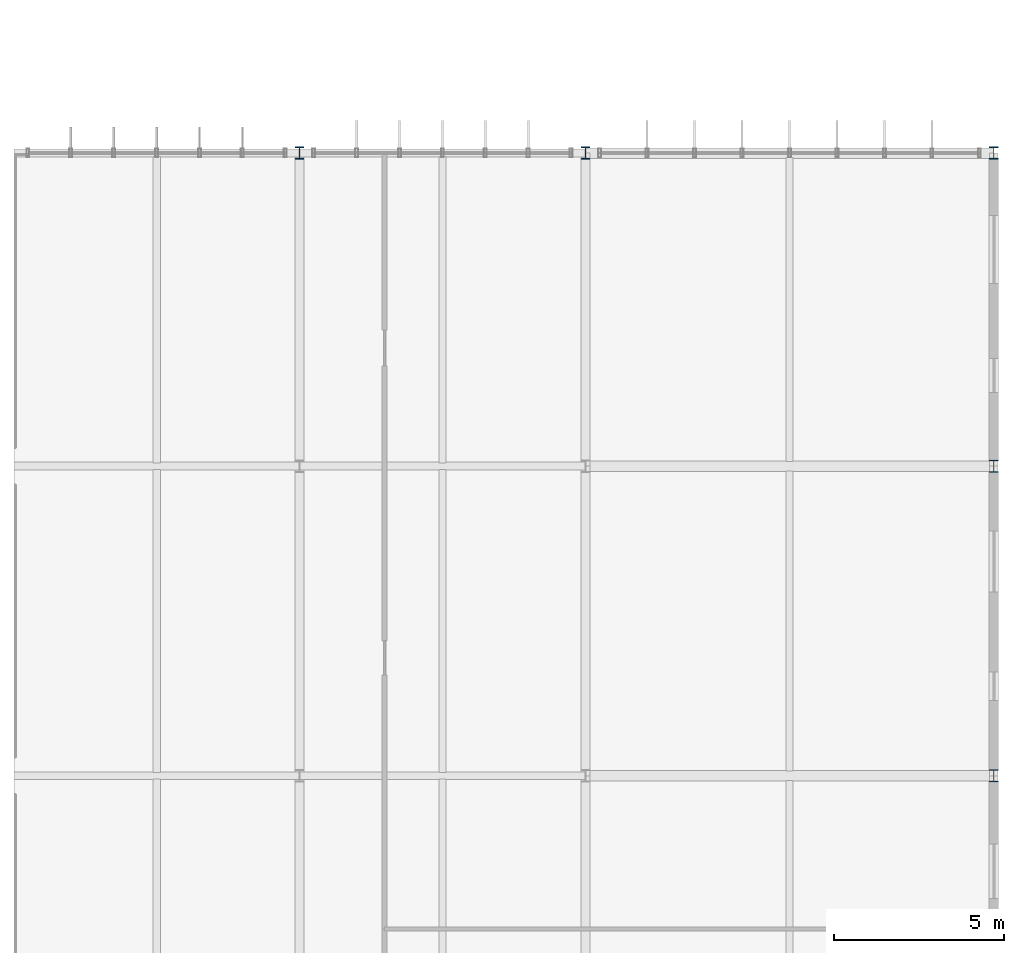
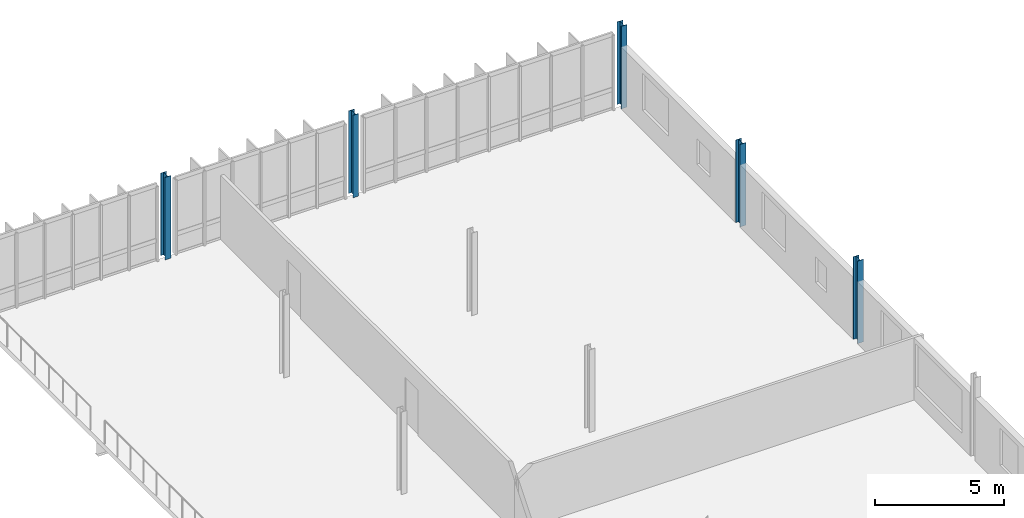
# One storey, part 7 of 61: 5 columns.
"""IFC4 building model written with IfcOpenShell, lengths in metres."""

import ifcopenshell
import ifcopenshell.guid

model = None  # the IFC model being written
_history = None  # IfcOwnerHistory: only IFC2X3 demands one
_inside = {}  # id of a spatial element -> (the spatial element, [elements in it])
_under = {}  # id of a project, library or spatial element -> (it, [spatial elements below it])
_declared = {}  # id of a project -> (the project, [libraries it declares])
_typed = {}  # id of a type object -> (the type object, [elements of that type])
_made_of = {}  # id of a material, layer set ... -> (it, [elements and type objects made of it])


def new_model(schema):
    """Start an empty IFC model of exactly this schema.

    Asked for "IFC4X3", IfcOpenShell would pick the latest addendum, in which some entities
    have other attributes; the version numbers below select the first issue.
    IFC2X3 requires an IfcOwnerHistory on every rooted entity: one is made here for all.
    """
    global model, _history
    if schema == "IFC4X3":
        model = ifcopenshell.file(schema_version=(4, 3, 0, 0))
    else:
        model = ifcopenshell.file(schema=schema)
    _inside.clear()
    _under.clear()
    _declared.clear()
    _typed.clear()
    _made_of.clear()
    _history = None
    if model.schema == "IFC2X3":
        org = make("IfcOrganization", Name="unknown")
        user = make(
            "IfcPersonAndOrganization",
            ThePerson=make("IfcPerson", FamilyName="unknown"),
            TheOrganization=org,
        )
        app = make(
            "IfcApplication",
            ApplicationDeveloper=org,
            Version="unknown",
            ApplicationFullName="unknown",
            ApplicationIdentifier="unknown",
        )
        _history = make(
            "IfcOwnerHistory",
            OwningUser=user,
            OwningApplication=app,
            ChangeAction="ADDED",
            CreationDate=0,
        )
    return model


def make(cls, **values):
    """One entity of the class cls with the attributes given. An attribute that is None is left unset."""
    return model.create_entity(
        cls, **{name: value for name, value in values.items() if value is not None}
    )


def rooted(cls, **values):
    """An entity with a GlobalId (a new one), such as an element, a storey or a relation."""
    return make(cls, GlobalId=ifcopenshell.guid.new(), OwnerHistory=_history, **values)


def si_unit(unit_type, name, prefix=None):
    """IfcSIUnit, for example si_unit("LENGTHUNIT", "METRE", prefix="MILLI")."""
    return make("IfcSIUnit", UnitType=unit_type, Prefix=prefix, Name=name)


def derived_unit(unit_type, elements):
    """IfcDerivedUnit: a product of units, each with its exponent."""
    return make(
        "IfcDerivedUnit",
        Elements=[
            make("IfcDerivedUnitElement", Unit=unit, Exponent=power)
            for unit, power in elements
        ],
        UnitType=unit_type,
    )


def assignment(units):
    """IfcUnitAssignment: the units of a project."""
    return None if units is None else make("IfcUnitAssignment", Units=units)


def point(xyz):
    """IfcCartesianPoint."""
    return None if xyz is None else make("IfcCartesianPoint", Coordinates=xyz)


def direction(xyz):
    """IfcDirection."""
    return None if xyz is None else make("IfcDirection", DirectionRatios=xyz)


def frame(location, z_axis=None, x_axis=None):
    """IfcAxis2Placement3D, a coordinate frame: its origin and axes. An axis left out is left unset."""
    return make(
        "IfcAxis2Placement3D",
        Location=point(location),
        Axis=direction(z_axis),
        RefDirection=direction(x_axis),
    )


def frame_2d(location, x_axis=None):
    """IfcAxis2Placement2D, a coordinate frame in the plane: its origin and x axis."""
    return make(
        "IfcAxis2Placement2D", Location=point(location), RefDirection=direction(x_axis)
    )


def origin():
    """The frame at (0, 0, 0) with its axes left unset."""
    return frame((0.0, 0.0, 0.0))


def origin_2d():
    """The frame at (0, 0) in the plane with its x axis left unset."""
    return frame_2d((0.0, 0.0))


def place(relative_to, where):
    """IfcLocalPlacement: puts the frame where relative to a parent placement (None: the world)."""
    return make(
        "IfcLocalPlacement", PlacementRelTo=relative_to, RelativePlacement=where
    )


def context(
    kind, dimensions, precision=None, world=None, true_north=None, identifier=None
):
    """IfcGeometricRepresentationContext, for example the 3D "Model" context."""
    return make(
        "IfcGeometricRepresentationContext",
        ContextIdentifier=identifier,
        ContextType=kind,
        CoordinateSpaceDimension=dimensions,
        Precision=precision,
        WorldCoordinateSystem=world,
        TrueNorth=true_north,
    )


def subcontext(parent, identifier, kind, view, scale=None):
    """IfcGeometricRepresentationSubContext, for example "Body" below "Model"."""
    return make(
        "IfcGeometricRepresentationSubContext",
        ContextIdentifier=identifier,
        ContextType=kind,
        ParentContext=parent,
        TargetScale=scale,
        TargetView=view,
    )


def project(units=None, contexts=None):
    """IfcProject with its units and contexts."""
    return rooted(
        "IfcProject",
        Name="project",
        RepresentationContexts=contexts,
        UnitsInContext=assignment(units),
    )


def spatial(cls, under=None, at=None, **own):
    """A site, building, storey or space (cls), placed at a placement, below another one or the project."""
    s = rooted(cls, ObjectPlacement=at, **own)
    if under is not None:
        _under.setdefault(under.id(), (under, []))[1].append(s)
    return s


def profile(cls, at=None, kind="AREA", **sizes):
    """A parametric profile (cls). Its sizes go by their IFC names, for example OverallWidth=200.0."""
    return make(cls, ProfileType=kind, Position=at, **sizes)


def i_section(**sizes):
    """IfcIShapeProfileDef."""
    return profile("IfcIShapeProfileDef", **sizes)


def extrude(swept, where, along, depth):
    """IfcExtrudedAreaSolid: the profile swept, set in the frame where, extruded along a direction by depth."""
    return make(
        "IfcExtrudedAreaSolid",
        SweptArea=swept,
        Position=where,
        ExtrudedDirection=direction(along),
        Depth=depth,
    )


def shape(context_of_items, identifier, shape_type, items):
    """IfcShapeRepresentation: the items that make up one representation, for example the "Body"."""
    return make(
        "IfcShapeRepresentation",
        ContextOfItems=context_of_items,
        RepresentationIdentifier=identifier,
        RepresentationType=shape_type,
        Items=items,
    )


def material(Name=None, Category=None):
    """IfcMaterial."""
    return make("IfcMaterial", Name=Name, Category=Category)


def material_profile(
    of_material, cross_section, Name=None, Category=None, Priority=None
):
    """IfcMaterialProfile: a cross section and its material."""
    return make(
        "IfcMaterialProfile",
        Name=Name,
        Material=of_material,
        Profile=cross_section,
        Priority=Priority,
        Category=Category,
    )


def profile_set(profiles, Name=None, composite=None):
    """IfcMaterialProfileSet."""
    return make(
        "IfcMaterialProfileSet",
        Name=Name,
        MaterialProfiles=profiles,
        CompositeProfile=composite,
    )


def made_of(thing, what):
    """Note that an element or type object is made of a material, layer set ...; save() writes the relation."""
    if what is not None:
        _made_of.setdefault(what.id(), (what, []))[1].append(thing)
    return thing


def type_object(cls, material=None, **own):
    """A type object (cls), such as IfcWallType, which elements share."""
    return made_of(rooted(cls, **own), material)


def element(
    cls,
    number,
    at=None,
    inside=None,
    cuts=None,
    type_object=None,
    material=None,
    context=None,
    identifier="Body",
    shape_type=None,
    held_by="IfcProductDefinitionShape",
    body=None,
    shapes=None,
    **own,
):
    """One element of the class cls, such as IfcWall. Its Tag is "e" and its number.

    at: its placement. inside: the storey or other place that contains it. cuts: it is an
    opening in that element (IfcRelVoidsElement). A single representation is given by context,
    identifier, shape_type and body (its items); several are given by shapes. held_by: the class
    of the entity that holds the representations. save() writes the other relations.
    """
    e = rooted(cls, Tag="e%d" % number, ObjectPlacement=at, **own)
    if body is not None:
        shapes = [shape(context, identifier, shape_type, body)]
    if shapes is not None:
        e.Representation = make(held_by, Representations=shapes)
    if inside is not None:
        _inside.setdefault(inside.id(), (inside, []))[1].append(e)
    if cuts is not None:
        rooted(
            "IfcRelVoidsElement", RelatingBuildingElement=cuts, RelatedOpeningElement=e
        )
    if type_object is not None:
        _typed.setdefault(type_object.id(), (type_object, []))[1].append(e)
    return made_of(e, material)


def aggregate(whole, parts):
    """IfcRelAggregates: a whole, such as a stair, and the parts it consists of."""
    return rooted("IfcRelAggregates", RelatingObject=whole, RelatedObjects=parts)


def save(model, path):
    """Write the relations noted so far, then the file.

    IfcRelAggregates (storeys below a building ...), IfcRelContainedInSpatialStructure (elements
    in a storey), IfcRelDefinesByType, IfcRelAssociatesMaterial and IfcRelDeclares: one each for
    every whole, place, type object, material and project.
    """
    for whole, parts in _under.values():
        aggregate(whole, parts)
    for where, things in _inside.values():
        rooted(
            "IfcRelContainedInSpatialStructure",
            RelatedElements=things,
            RelatingStructure=where,
        )
    for kind, things in _typed.values():
        rooted("IfcRelDefinesByType", RelatedObjects=things, RelatingType=kind)
    for what, things in _made_of.values():
        rooted("IfcRelAssociatesMaterial", RelatedObjects=things, RelatingMaterial=what)
    for by, libraries in _declared.values():
        rooted("IfcRelDeclares", RelatingContext=by, RelatedDefinitions=libraries)
    model.write(path)


model = new_model("IFC4")

# Units and contexts
model_context = context("Model", 3, precision=1e-05, world=origin(), true_north=direction((0.0, 1.0)))
body_context = subcontext(model_context, "Body", "Model", "MODEL_VIEW")
ifc_project = project(units=[si_unit("LENGTHUNIT", "METRE"), si_unit("AREAUNIT", "SQUARE_METRE"), si_unit("VOLUMEUNIT", "CUBIC_METRE"), si_unit("PLANEANGLEUNIT", "RADIAN"), si_unit("MASSUNIT", "GRAM", prefix="KILO"), derived_unit("THERMALTRANSMITTANCEUNIT", [(si_unit("MASSUNIT", "GRAM", prefix="KILO"), 1), (si_unit("TIMEUNIT", "SECOND"), -3), (si_unit("THERMODYNAMICTEMPERATUREUNIT", "KELVIN"), -1)])], contexts=[model_context])

# Site, building, storey
site_placement = place(None, origin())
site = spatial("IfcSite", under=ifc_project, at=site_placement, CompositionType="ELEMENT")
building_placement = place(site_placement, origin())
building = spatial("IfcBuilding", under=site, at=building_placement, Name="Makaiwela Harbour Ferry Terminal", CompositionType="ELEMENT")
storey_placement = place(building_placement, frame((0.0, 0.0, 13.800048828125)))
storey = spatial("IfcBuildingStorey", under=building, at=storey_placement, Name="L03", CompositionType="ELEMENT", Elevation=13.800048828125)

# Columns
ifc_material = material(Name="Steel ASTM A992 Grade 50", Category="steel")
ifc_material_profile = material_profile(ifc_material, i_section(OverallWidth=0.2548828125, OverallDepth=0.35693359375, WebThickness=0.010498046875, FlangeThickness=0.018310546875, at=origin_2d()), Name="W14X68")
ifc_profile_set = profile_set([ifc_material_profile], Name="Steel ASTM A992 Grade 50")
column_type = type_object("IfcColumnType", Name="STR-COL-W14X68", PredefinedType="COLUMN", material=ifc_profile_set)
for number, where, z_axis, x_axis, name in (
    (1, (147.0, 95.0, 0.0), (0.0, 0.0, 1.0), (1.0, 0.0, 0.0), "Structural Column C-06"),
    (2, (155.39990234375, 95.0, 0.0), (0.0, 0.0, 1.0), (1.0, 0.0, 0.0), "Structural Column C-06"),
    (3, (167.39990234375, 76.699951171875, 0.0), (0.0, 0.0, 1.0), (1.0, 0.0, 0.0), "Structural Column C-06"),
    (4, (167.39990234375, 85.800048828125, 0.0), (0.0, 0.0, 1.0), (1.0, 0.0, 0.0), "Structural Column C-06"),
    (5, (167.39990234375, 95.0, 0.0), (0.0, 0.0, 1.0), (1.0, 0.0, 0.0), "Structural Column C-06"),
):
    element("IfcColumn", number, at=place(storey_placement, frame(where, z_axis=z_axis, x_axis=x_axis)), inside=storey, type_object=column_type, Name=name, PredefinedType="COLUMN", context=body_context, shape_type="SweptSolid", body=[
        extrude(i_section(OverallWidth=0.2548828125, OverallDepth=0.35693359375, WebThickness=0.010498046875, FlangeThickness=0.018310546875, at=origin_2d()), origin(), (0.0, 0.0, 1.0), 3.89990234375),
    ])

save(model, "model.ifc")
